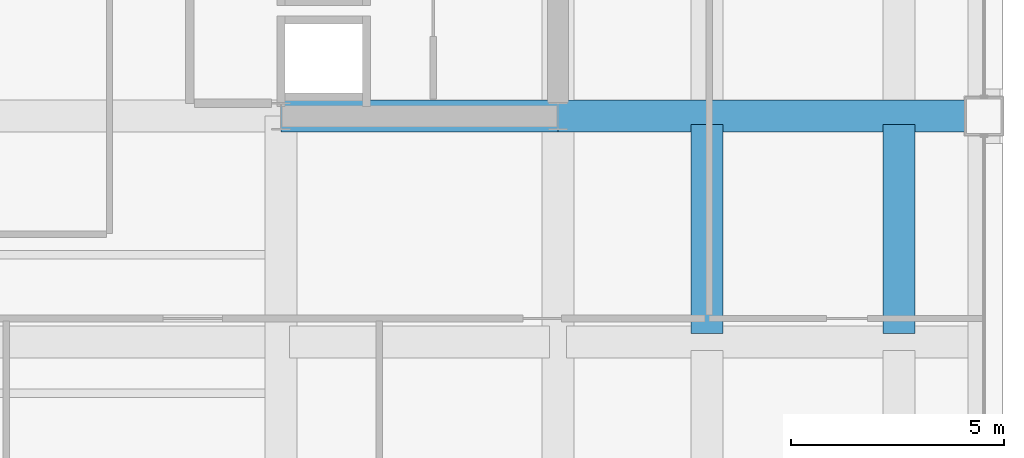
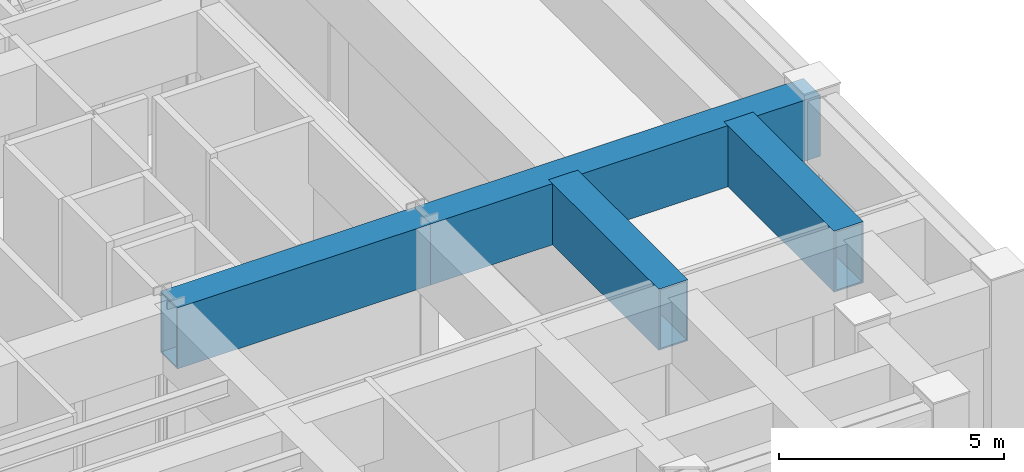
# One storey, part 13 of 29: 4 beams.
"""IFC4 building model written with IfcOpenShell, lengths in metres."""

from ifc_helpers import new_model, si_unit, direction, frame, origin, origin_2d, place, context, subcontext, project, spatial, hollow_rectangle, extrude, material, material_profile, profile_set, type_object, element, save


model = new_model("IFC4")

# Units and contexts
model_context = context("Model", 3, precision=1e-05, world=origin(), true_north=direction((0.0, 1.0)))
body_context = subcontext(model_context, "Body", "Model", "MODEL_VIEW")
ifc_project = project(units=[si_unit("LENGTHUNIT", "METRE"), si_unit("AREAUNIT", "SQUARE_METRE"), si_unit("VOLUMEUNIT", "CUBIC_METRE"), si_unit("PLANEANGLEUNIT", "RADIAN"), si_unit("MASSUNIT", "GRAM", prefix="KILO")], contexts=[model_context])

# Site, building, storey
site_placement = place(None, origin())
site = spatial("IfcSite", under=ifc_project, at=site_placement, CompositionType="ELEMENT")
building_placement = place(site_placement, origin())
building = spatial("IfcBuilding", under=site, at=building_placement, Name="Brelmoor Portico Tower", CompositionType="ELEMENT")
storey_placement = place(building_placement, frame((0.0, 0.0, 82.800048828125)))
storey = spatial("IfcBuildingStorey", under=building, at=storey_placement, Name="L21", CompositionType="ELEMENT", Elevation=82.800048828125)

# Beams
ifc_material = material(Name="Steel Q355B", Category="steel")
ifc_material_profile = material_profile(ifc_material, hollow_rectangle(XDim=0.75, YDim=1.659912109375, WallThickness=0.0419921875, at=origin_2d()), Name="BOX 750x1660x42")
ifc_profile_set = profile_set([ifc_material_profile], Name="Steel Q355B")
beam_type = type_object("IfcBeamType", Name="BM-TG-Z2", PredefinedType="BEAM", material=ifc_profile_set)
beam_1_placement = place(storey_placement, frame((8.050048828125, -9.75, 3.469970703125), z_axis=(1.0, 0.0, 0.0), x_axis=(0.0, 1.0, 0.0)))
element("IfcBeam", 1, at=beam_1_placement, inside=storey, type_object=beam_type, Name="L21 Setback Transfer Girder PG-22", PredefinedType="BEAM", context=body_context, shape_type="SweptSolid", body=[
    extrude(hollow_rectangle(XDim=0.75, YDim=1.659912109375, WallThickness=0.0419921875, at=origin_2d()), origin(), (0.0, 0.0, 1.0), 6.5),
])
beam_2_placement = place(storey_placement, frame((14.550048828125, -9.75, 3.469970703125), z_axis=(1.0, 0.0, 0.0), x_axis=(0.0, 1.0, 0.0)))
element("IfcBeam", 2, at=beam_2_placement, inside=storey, type_object=beam_type, Name="L21 Setback Transfer Girder PG-23", PredefinedType="BEAM", context=body_context, shape_type="SweptSolid", body=[
    extrude(hollow_rectangle(XDim=0.75, YDim=1.659912109375, WallThickness=0.0419921875, at=origin_2d()), origin(), (0.0, 0.0, 1.0), 10.0),
])
for number, where, z_axis, x_axis, name in (
    (3, (18.050048828125, -14.85009765625, 3.469970703125), (0.0, 1.0, 0.0), (-1.0, 0.0, 0.0), "L21 Setback Transfer Girder TGN-27"),
    (4, (22.550048828125, -14.85009765625, 3.469970703125), (0.0, 1.0, 0.0), (-1.0, 0.0, 0.0), "L21 Setback Transfer Girder TGN-37"),
):
    element("IfcBeam", number, at=place(storey_placement, frame(where, z_axis=z_axis, x_axis=x_axis)), inside=storey, type_object=beam_type, Name=name, PredefinedType="BEAM", context=body_context, shape_type="SweptSolid", body=[
        extrude(hollow_rectangle(XDim=0.75, YDim=1.659912109375, WallThickness=0.0419921875, at=origin_2d()), origin(), (0.0, 0.0, 1.0), 4.900146484375),
    ])

save(model, "model.ifc")
